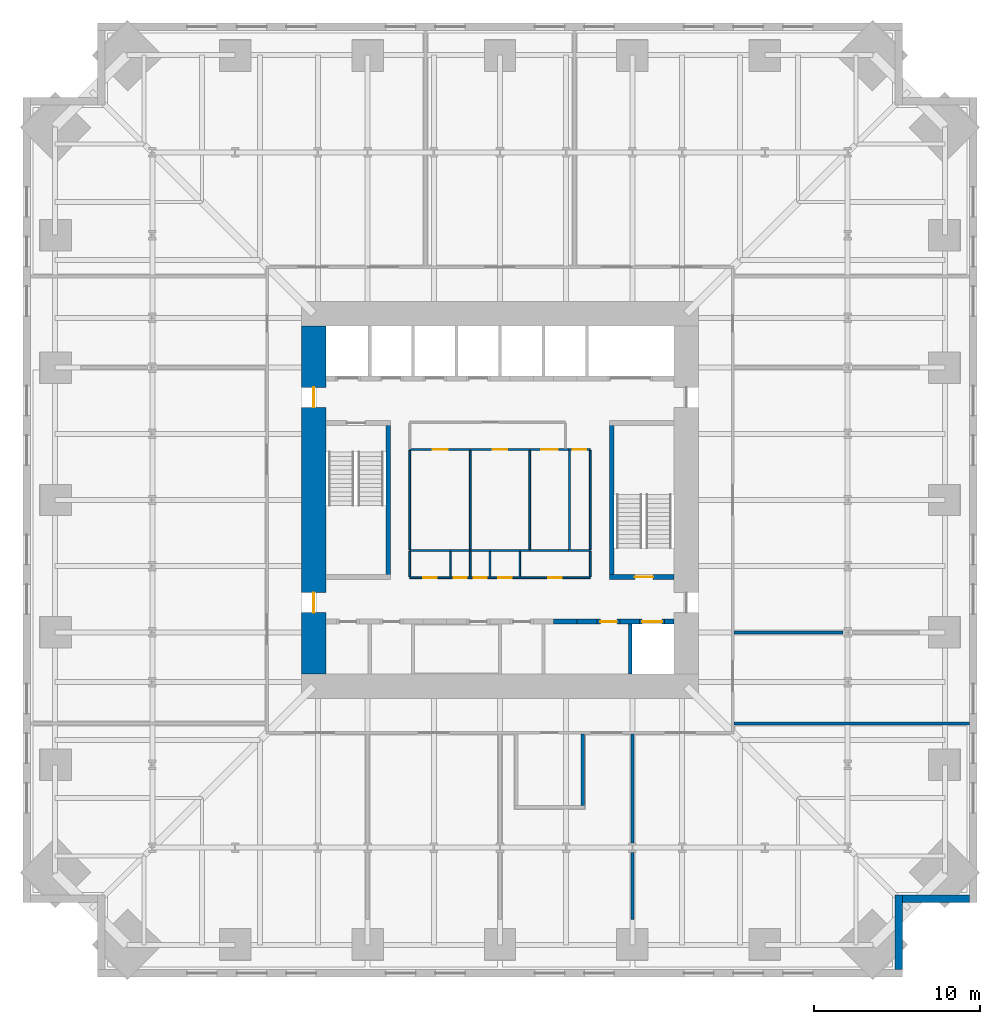
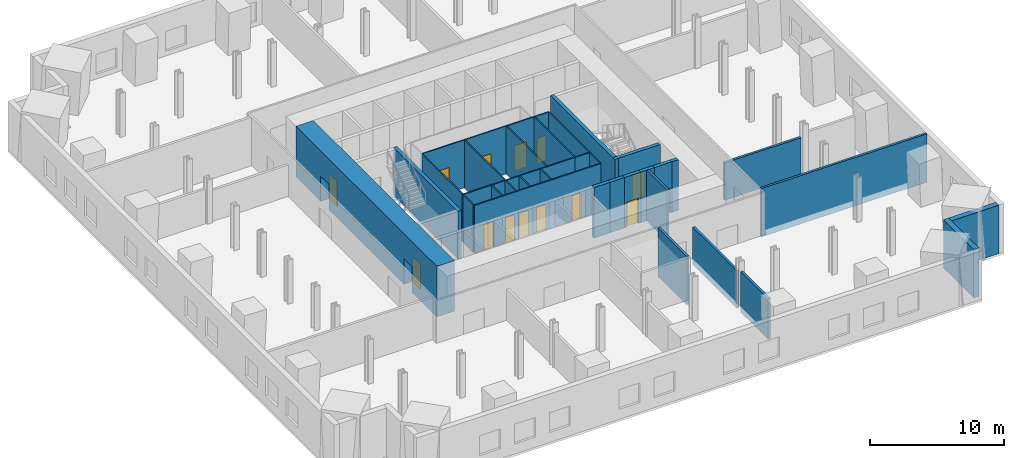
# One storey, part 5 of 9: 34 walls, 14 doors, 14 openings.
"""IFC4 building model written with IfcOpenShell, lengths in metres."""

import ifcopenshell
import ifcopenshell.guid

model = None  # the IFC model being written
_history = None  # IfcOwnerHistory: only IFC2X3 demands one
_inside = {}  # id of a spatial element -> (the spatial element, [elements in it])
_under = {}  # id of a project, library or spatial element -> (it, [spatial elements below it])
_declared = {}  # id of a project -> (the project, [libraries it declares])
_typed = {}  # id of a type object -> (the type object, [elements of that type])
_made_of = {}  # id of a material, layer set ... -> (it, [elements and type objects made of it])


def new_model(schema):
    """Start an empty IFC model of exactly this schema.

    Asked for "IFC4X3", IfcOpenShell would pick the latest addendum, in which some entities
    have other attributes; the version numbers below select the first issue.
    IFC2X3 requires an IfcOwnerHistory on every rooted entity: one is made here for all.
    """
    global model, _history
    if schema == "IFC4X3":
        model = ifcopenshell.file(schema_version=(4, 3, 0, 0))
    else:
        model = ifcopenshell.file(schema=schema)
    _inside.clear()
    _under.clear()
    _declared.clear()
    _typed.clear()
    _made_of.clear()
    _history = None
    if model.schema == "IFC2X3":
        org = make("IfcOrganization", Name="unknown")
        user = make(
            "IfcPersonAndOrganization",
            ThePerson=make("IfcPerson", FamilyName="unknown"),
            TheOrganization=org,
        )
        app = make(
            "IfcApplication",
            ApplicationDeveloper=org,
            Version="unknown",
            ApplicationFullName="unknown",
            ApplicationIdentifier="unknown",
        )
        _history = make(
            "IfcOwnerHistory",
            OwningUser=user,
            OwningApplication=app,
            ChangeAction="ADDED",
            CreationDate=0,
        )
    return model


def make(cls, **values):
    """One entity of the class cls with the attributes given. An attribute that is None is left unset."""
    return model.create_entity(
        cls, **{name: value for name, value in values.items() if value is not None}
    )


def rooted(cls, **values):
    """An entity with a GlobalId (a new one), such as an element, a storey or a relation."""
    return make(cls, GlobalId=ifcopenshell.guid.new(), OwnerHistory=_history, **values)


def si_unit(unit_type, name, prefix=None):
    """IfcSIUnit, for example si_unit("LENGTHUNIT", "METRE", prefix="MILLI")."""
    return make("IfcSIUnit", UnitType=unit_type, Prefix=prefix, Name=name)


def assignment(units):
    """IfcUnitAssignment: the units of a project."""
    return None if units is None else make("IfcUnitAssignment", Units=units)


def point(xyz):
    """IfcCartesianPoint."""
    return None if xyz is None else make("IfcCartesianPoint", Coordinates=xyz)


def direction(xyz):
    """IfcDirection."""
    return None if xyz is None else make("IfcDirection", DirectionRatios=xyz)


def frame(location, z_axis=None, x_axis=None):
    """IfcAxis2Placement3D, a coordinate frame: its origin and axes. An axis left out is left unset."""
    return make(
        "IfcAxis2Placement3D",
        Location=point(location),
        Axis=direction(z_axis),
        RefDirection=direction(x_axis),
    )


def frame_2d(location, x_axis=None):
    """IfcAxis2Placement2D, a coordinate frame in the plane: its origin and x axis."""
    return make(
        "IfcAxis2Placement2D", Location=point(location), RefDirection=direction(x_axis)
    )


def origin():
    """The frame at (0, 0, 0) with its axes left unset."""
    return frame((0.0, 0.0, 0.0))


def place(relative_to, where):
    """IfcLocalPlacement: puts the frame where relative to a parent placement (None: the world)."""
    return make(
        "IfcLocalPlacement", PlacementRelTo=relative_to, RelativePlacement=where
    )


def context(
    kind, dimensions, precision=None, world=None, true_north=None, identifier=None
):
    """IfcGeometricRepresentationContext, for example the 3D "Model" context."""
    return make(
        "IfcGeometricRepresentationContext",
        ContextIdentifier=identifier,
        ContextType=kind,
        CoordinateSpaceDimension=dimensions,
        Precision=precision,
        WorldCoordinateSystem=world,
        TrueNorth=true_north,
    )


def subcontext(parent, identifier, kind, view, scale=None):
    """IfcGeometricRepresentationSubContext, for example "Body" below "Model"."""
    return make(
        "IfcGeometricRepresentationSubContext",
        ContextIdentifier=identifier,
        ContextType=kind,
        ParentContext=parent,
        TargetScale=scale,
        TargetView=view,
    )


def project(units=None, contexts=None):
    """IfcProject with its units and contexts."""
    return rooted(
        "IfcProject",
        Name="project",
        RepresentationContexts=contexts,
        UnitsInContext=assignment(units),
    )


def spatial(cls, under=None, at=None, **own):
    """A site, building, storey or space (cls), placed at a placement, below another one or the project."""
    s = rooted(cls, ObjectPlacement=at, **own)
    if under is not None:
        _under.setdefault(under.id(), (under, []))[1].append(s)
    return s


def profile(cls, at=None, kind="AREA", **sizes):
    """A parametric profile (cls). Its sizes go by their IFC names, for example OverallWidth=200.0."""
    return make(cls, ProfileType=kind, Position=at, **sizes)


def rectangle(**sizes):
    """IfcRectangleProfileDef."""
    return profile("IfcRectangleProfileDef", **sizes)


def extrude(swept, where, along, depth):
    """IfcExtrudedAreaSolid: the profile swept, set in the frame where, extruded along a direction by depth."""
    return make(
        "IfcExtrudedAreaSolid",
        SweptArea=swept,
        Position=where,
        ExtrudedDirection=direction(along),
        Depth=depth,
    )


def shape(context_of_items, identifier, shape_type, items):
    """IfcShapeRepresentation: the items that make up one representation, for example the "Body"."""
    return make(
        "IfcShapeRepresentation",
        ContextOfItems=context_of_items,
        RepresentationIdentifier=identifier,
        RepresentationType=shape_type,
        Items=items,
    )


def material(Name=None, Category=None):
    """IfcMaterial."""
    return make("IfcMaterial", Name=Name, Category=Category)


def layer(
    of_material, thickness, ventilated=None, Name=None, Category=None, Priority=None
):
    """IfcMaterialLayer: one layer of a wall or slab, of a material (None: an air gap)."""
    return make(
        "IfcMaterialLayer",
        Material=of_material,
        LayerThickness=thickness,
        IsVentilated=ventilated,
        Name=Name,
        Category=Category,
        Priority=Priority,
    )


def layer_set(layers, Name=None):
    """IfcMaterialLayerSet."""
    return make("IfcMaterialLayerSet", MaterialLayers=layers, LayerSetName=Name)


def made_of(thing, what):
    """Note that an element or type object is made of a material, layer set ...; save() writes the relation."""
    if what is not None:
        _made_of.setdefault(what.id(), (what, []))[1].append(thing)
    return thing


def type_object(cls, material=None, **own):
    """A type object (cls), such as IfcWallType, which elements share."""
    return made_of(rooted(cls, **own), material)


def element(
    cls,
    number,
    at=None,
    inside=None,
    cuts=None,
    type_object=None,
    material=None,
    context=None,
    identifier="Body",
    shape_type=None,
    held_by="IfcProductDefinitionShape",
    body=None,
    shapes=None,
    **own,
):
    """One element of the class cls, such as IfcWall. Its Tag is "e" and its number.

    at: its placement. inside: the storey or other place that contains it. cuts: it is an
    opening in that element (IfcRelVoidsElement). A single representation is given by context,
    identifier, shape_type and body (its items); several are given by shapes. held_by: the class
    of the entity that holds the representations. save() writes the other relations.
    """
    e = rooted(cls, Tag="e%d" % number, ObjectPlacement=at, **own)
    if body is not None:
        shapes = [shape(context, identifier, shape_type, body)]
    if shapes is not None:
        e.Representation = make(held_by, Representations=shapes)
    if inside is not None:
        _inside.setdefault(inside.id(), (inside, []))[1].append(e)
    if cuts is not None:
        rooted(
            "IfcRelVoidsElement", RelatingBuildingElement=cuts, RelatedOpeningElement=e
        )
    if type_object is not None:
        _typed.setdefault(type_object.id(), (type_object, []))[1].append(e)
    return made_of(e, material)


def fill(opening, filler):
    """IfcRelFillsElement: the door or window that sits in an opening."""
    return rooted(
        "IfcRelFillsElement",
        RelatingOpeningElement=opening,
        RelatedBuildingElement=filler,
    )


def aggregate(whole, parts):
    """IfcRelAggregates: a whole, such as a stair, and the parts it consists of."""
    return rooted("IfcRelAggregates", RelatingObject=whole, RelatedObjects=parts)


def save(model, path):
    """Write the relations noted so far, then the file.

    IfcRelAggregates (storeys below a building ...), IfcRelContainedInSpatialStructure (elements
    in a storey), IfcRelDefinesByType, IfcRelAssociatesMaterial and IfcRelDeclares: one each for
    every whole, place, type object, material and project.
    """
    for whole, parts in _under.values():
        aggregate(whole, parts)
    for where, things in _inside.values():
        rooted(
            "IfcRelContainedInSpatialStructure",
            RelatedElements=things,
            RelatingStructure=where,
        )
    for kind, things in _typed.values():
        rooted("IfcRelDefinesByType", RelatedObjects=things, RelatingType=kind)
    for what, things in _made_of.values():
        rooted("IfcRelAssociatesMaterial", RelatedObjects=things, RelatingMaterial=what)
    for by, libraries in _declared.values():
        rooted("IfcRelDeclares", RelatingContext=by, RelatedDefinitions=libraries)
    model.write(path)


model = new_model("IFC4")

# Units and contexts
model_context = context("Model", 3, precision=1e-05, world=origin(), true_north=direction((0.0, 1.0)))
body_context = subcontext(model_context, "Body", "Model", "MODEL_VIEW")
ifc_project = project(units=[si_unit("LENGTHUNIT", "METRE"), si_unit("AREAUNIT", "SQUARE_METRE"), si_unit("VOLUMEUNIT", "CUBIC_METRE"), si_unit("PLANEANGLEUNIT", "RADIAN"), si_unit("MASSUNIT", "GRAM", prefix="KILO")], contexts=[model_context])

# Site, building, storey
site_placement = place(None, origin())
site = spatial("IfcSite", under=ifc_project, at=site_placement, CompositionType="ELEMENT")
building_placement = place(site_placement, origin())
building = spatial("IfcBuilding", under=site, at=building_placement, Name="Peilmerk Tower", CompositionType="ELEMENT")
storey_placement = place(building_placement, frame((0.0, 0.0, 99.800048828125)))
storey = spatial("IfcBuildingStorey", under=building, at=storey_placement, Name="L19", CompositionType="ELEMENT", Elevation=99.800048828125)

# Walls
ifc_material_1 = material(Name="Precast concrete C45/55, board-marked finish", Category="concrete")
ifc_layer_1 = layer(ifc_material_1, 0.449951171875)
ifc_layer_set_1 = layer_set([ifc_layer_1], Name="Precast concrete C45/55, board-marked finish")
wall_type_1 = type_object("IfcWallType", Name="EW1 450 precast concrete facade wall, board-marked", PredefinedType="SOLIDWALL", material=ifc_layer_set_1)
wall_1_placement = place(storey_placement, frame((24.074951171875, -23.85009765625, 0.0), z_axis=(0.0, 0.0, 1.0), x_axis=(0.0, -1.0, 0.0)))
element("IfcWall", 1, at=wall_1_placement, inside=storey, type_object=wall_type_1, Name="Facade wall SEA L19", PredefinedType="SOLIDWALL", context=body_context, shape_type="SweptSolid", body=[
    extrude(rectangle(XDim=4.5, YDim=0.449951171875, at=frame_2d((2.25, 0.0))), origin(), (0.0, 0.0, 1.0), 4.39990234375),
])
wall_2_placement = place(storey_placement, frame((24.300048828125, -24.074951171875, 0.0), z_axis=(0.0, 0.0, 1.0), x_axis=(1.0, 0.0, 0.0)))
element("IfcWall", 2, at=wall_2_placement, inside=storey, type_object=wall_type_1, Name="Facade wall SEB L19", PredefinedType="SOLIDWALL", context=body_context, shape_type="SweptSolid", body=[
    extrude(rectangle(XDim=4.050048828125, YDim=0.449951171875, at=frame_2d((2.02490234375, 0.0))), origin(), (0.0, 0.0, 1.0), 4.39990234375),
])
ifc_material_2 = material(Name="Calcium silicate block", Category="masonry")
ifc_layer_2 = layer(ifc_material_2, 0.199951171875)
ifc_layer_set_2 = layer_set([ifc_layer_2], Name="Calcium silicate block")
wall_type_2 = type_object("IfcWallType", Name="IW2 200 room separating wall, EI 120", PredefinedType="PARTITIONING", material=ifc_layer_set_2)
wall_3_placement = place(storey_placement, frame((28.35009765625, -13.5, 0.0), z_axis=(0.0, 0.0, 1.0), x_axis=(-1.0, 0.0, 0.0)))
element("IfcWall", 3, at=wall_3_placement, inside=storey, type_object=wall_type_2, Name="Room separating wall SE L19", PredefinedType="PARTITIONING", context=body_context, shape_type="SweptSolid", body=[
    extrude(rectangle(XDim=14.22509765625, YDim=0.199951171875, at=frame_2d((7.112548828125, 0.0))), origin(), (0.0, 0.0, 1.0), 4.39990234375),
])
wall_4_placement = place(storey_placement, frame((8.0, -14.125, 0.0), z_axis=(0.0, 0.0, 1.0), x_axis=(0.0, -1.0, 0.0)))
element("IfcWall", 4, at=wall_4_placement, inside=storey, type_object=wall_type_2, Name="Room separating wall S3 L19", PredefinedType="PARTITIONING", context=body_context, shape_type="SweptSolid", body=[
    extrude(rectangle(XDim=6.590576171875, YDim=0.199951171875, at=frame_2d((3.29541015625, 0.0))), origin(), (0.0, 0.0, 1.0), 3.391845703125),
])
wall_5_placement = place(storey_placement, frame((8.0, -21.284423828125, 0.0), z_axis=(0.0, 0.0, 1.0), x_axis=(0.0, -1.0, 0.0)))
element("IfcWall", 5, at=wall_5_placement, inside=storey, type_object=wall_type_2, Name="Room separating wall S3b L19", PredefinedType="PARTITIONING", context=body_context, shape_type="SweptSolid", body=[
    extrude(rectangle(XDim=4.05908203125, YDim=0.199951171875, at=frame_2d((2.029541015625, 0.0))), origin(), (0.0, 0.0, 1.0), 3.7099609375),
])
wall_6_placement = place(storey_placement, frame((14.125, -8.0, 0.0), z_axis=(0.0, 0.0, 1.0), x_axis=(1.0, 0.0, 0.0)))
element("IfcWall", 6, at=wall_6_placement, inside=storey, type_object=wall_type_2, Name="Room separating wall E1 L19", PredefinedType="PARTITIONING", context=body_context, shape_type="SweptSolid", body=[
    extrude(rectangle(XDim=6.590576171875, YDim=0.199951171875, at=frame_2d((3.29541015625, 0.0))), origin(), (0.0, 0.0, 1.0), 3.391845703125),
])
wall_7_placement = place(storey_placement, frame((5.0, -14.125, 0.0), z_axis=(0.0, 0.0, 1.0), x_axis=(0.0, -1.0, 0.0)))
element("IfcWall", 7, at=wall_7_placement, inside=storey, type_object=wall_type_2, Name="Room separating wall Operations office L19", PredefinedType="PARTITIONING", context=body_context, shape_type="SweptSolid", body=[
    extrude(rectangle(XDim=4.324951171875, YDim=0.199951171875, at=frame_2d((2.16259765625, 0.0))), origin(), (0.0, 0.0, 1.0), 4.39990234375),
])
ifc_material_3 = material(Name="Concrete C35/45", Category="concrete")
ifc_layer_3 = layer(ifc_material_3, 0.300048828125)
ifc_layer_set_3 = layer_set([ifc_layer_3], Name="Concrete C35/45")
wall_type_3 = type_object("IfcWallType", Name="IW3 300 concrete stair enclosure wall, EI 120", PredefinedType="SOLIDWALL", material=ifc_layer_set_3)
for number, where, z_axis, x_axis, name in (
    (8, (-6.75, -4.800048828125, 0.0), (0.0, 0.0, 1.0), (0.0, 1.0, 0.0), "Stair 1 enclosure L19"),
    (9, (6.75, -4.800048828125, 0.0), (0.0, 0.0, 1.0), (0.0, 1.0, 0.0), "Stair 2 enclosure L19"),
):
    element("IfcWall", number, at=place(storey_placement, frame(where, z_axis=z_axis, x_axis=x_axis)), inside=storey, type_object=wall_type_3, Name=name, PredefinedType="SOLIDWALL", context=body_context, shape_type="SweptSolid", body=[
        extrude(rectangle(XDim=9.60009765625, YDim=0.300048828125, at=frame_2d((4.800048828125, 0.0))), origin(), (0.0, 0.0, 1.0), 4.349853515625),
    ])

# Wall, opening, door
wall_8_placement = place(storey_placement, frame((10.5, -4.64990234375, 0.0), z_axis=(0.0, 0.0, 1.0), x_axis=(-1.0, 0.0, 0.0)))
wall_8 = element("IfcWall", 10, at=wall_8_placement, inside=storey, type_object=wall_type_3, Name="Stair 2 enclosure L19", PredefinedType="SOLIDWALL", context=body_context, shape_type="SweptSolid", body=[
    extrude(rectangle(XDim=3.89990234375, YDim=0.300048828125, at=frame_2d((1.949951171875, 0.0))), origin(), (0.0, 0.0, 1.0), 4.349853515625),
])
opening_1_placement = place(wall_8_placement, frame((1.25, 0.0, 0.0)))
opening_1 = element("IfcOpeningElement", 11, at=opening_1_placement, cuts=wall_8, Name="Opening D4", PredefinedType="OPENING", context=body_context, shape_type="SweptSolid", body=[
    extrude(rectangle(XDim=1.10009765625, YDim=2.300048828125, at=frame_2d((0.550048828125, 1.14990234375))), frame((0.0, 0.159912109375, 0.0), z_axis=(0.0, -1.0, 0.0), x_axis=(1.0, 0.0, 0.0)), (0.0, 0.0, 1.0), 0.320068359375),
])
ifc_material_4 = material(Name="Steel door in steel frame", Category="steel")
door_type_1 = type_object("IfcDoorType", Name="D4 1100x2300 stair door, EI2 60", OperationType="SINGLE_SWING_RIGHT", PredefinedType="DOOR", material=ifc_material_4)
door_1_placement = place(opening_1_placement, frame((1.10009765625, 0.0, 0.0), z_axis=(0.0, 0.0, 1.0), x_axis=(-1.0, 0.0, 0.0)))
door_1 = element("IfcDoor", 12, at=door_1_placement, inside=storey, type_object=door_type_1, Name="Stair 2 door L19", OperationType="SINGLE_SWING_RIGHT", OverallHeight=2.300048828125, OverallWidth=1.10009765625, PredefinedType="DOOR", context=body_context, shape_type="SweptSolid", body=[
    extrude(rectangle(XDim=1.10009765625, YDim=2.300048828125, at=frame_2d((0.550048828125, 1.14990234375))), frame((0.0, 0.02490234375, 0.0), z_axis=(0.0, -1.0, 0.0), x_axis=(1.0, 0.0, 0.0)), (0.0, 0.0, 1.0), 0.050048828125),
])
fill(opening_1, door_1)

# Wall, openings, doors
ifc_material_5 = material(Name="Plasterboard on steel studs", Category="steel")
ifc_layer_4 = layer(ifc_material_5, 0.10009765625)
ifc_layer_set_4 = layer_set([ifc_layer_4], Name="Plasterboard on steel studs")
wall_type_4 = type_object("IfcWallType", Name="IW4 100 WC partition", PredefinedType="PARTITIONING", material=ifc_layer_set_4)
wall_9_placement = place(storey_placement, frame((-5.449951171875, 3.050048828125, 0.0), z_axis=(0.0, 0.0, 1.0), x_axis=(1.0, 0.0, 0.0)))
wall_9 = element("IfcWall", 13, at=wall_9_placement, inside=storey, type_object=wall_type_4, Name="WC wall L19", PredefinedType="PARTITIONING", context=body_context, shape_type="SweptSolid", body=[
    extrude(rectangle(XDim=9.599853515625, YDim=0.10009765625, at=frame_2d((4.7998046875, 0.0))), origin(), (0.0, 0.0, 1.0), 4.349853515625),
])
opening_2_placement = place(wall_9_placement, frame((1.39990234375, 0.0, 0.0)))
opening_2 = element("IfcOpeningElement", 14, at=opening_2_placement, cuts=wall_9, Name="Opening D5", PredefinedType="OPENING", context=body_context, shape_type="SweptSolid", body=[
    extrude(rectangle(XDim=0.89990234375, YDim=2.300048828125, at=frame_2d((0.449951171875, 1.14990234375))), frame((0.0, 0.06005859375, 0.0), z_axis=(0.0, -1.0, 0.0), x_axis=(1.0, 0.0, 0.0)), (0.0, 0.0, 1.0), 0.1201171875),
])
opening_3_placement = place(wall_9_placement, frame((5.0, 0.0, 0.0)))
opening_3 = element("IfcOpeningElement", 15, at=opening_3_placement, cuts=wall_9, Name="Opening D5", PredefinedType="OPENING", context=body_context, shape_type="SweptSolid", body=[
    extrude(rectangle(XDim=0.89990234375, YDim=2.300048828125, at=frame_2d((0.449951171875, 1.14990234375))), frame((0.0, 0.06005859375, 0.0), z_axis=(0.0, -1.0, 0.0), x_axis=(1.0, 0.0, 0.0)), (0.0, 0.0, 1.0), 0.1201171875),
])
opening_4_placement = place(wall_9_placement, frame((7.949951171875, 0.0, 0.0)))
opening_4 = element("IfcOpeningElement", 16, at=opening_4_placement, cuts=wall_9, Name="Opening D6", PredefinedType="OPENING", context=body_context, shape_type="SweptSolid", body=[
    extrude(rectangle(XDim=1.0, YDim=2.300048828125, at=frame_2d((0.5, 1.14990234375))), frame((0.0, 0.06005859375, 0.0), z_axis=(0.0, -1.0, 0.0), x_axis=(1.0, 0.0, 0.0)), (0.0, 0.0, 1.0), 0.1201171875),
])
ifc_material_6 = material(Name="Timber door in steel frame", Category="steel")
door_type_2 = type_object("IfcDoorType", Name="D5 900x2300 WC door", OperationType="SINGLE_SWING_LEFT", PredefinedType="DOOR", material=ifc_material_6)
door_2_placement = place(opening_2_placement, frame((0.89990234375, 0.0, 0.0), z_axis=(0.0, 0.0, 1.0), x_axis=(-1.0, 0.0, 0.0)))
door_2 = element("IfcDoor", 17, at=door_2_placement, inside=storey, type_object=door_type_2, Name="Male toilets door L19", OperationType="SINGLE_SWING_LEFT", OverallHeight=2.300048828125, OverallWidth=0.89990234375, PredefinedType="DOOR", context=body_context, shape_type="SweptSolid", body=[
    extrude(rectangle(XDim=0.89990234375, YDim=2.300048828125, at=frame_2d((0.449951171875, 1.14990234375))), frame((0.0, 0.02490234375, 0.0), z_axis=(0.0, -1.0, 0.0), x_axis=(1.0, 0.0, 0.0)), (0.0, 0.0, 1.0), 0.050048828125),
])
fill(opening_2, door_2)
door_3_placement = place(opening_3_placement, frame((0.89990234375, 0.0, 0.0), z_axis=(0.0, 0.0, 1.0), x_axis=(-1.0, 0.0, 0.0)))
door_3 = element("IfcDoor", 18, at=door_3_placement, inside=storey, type_object=door_type_2, Name="Female toilets door L19", OperationType="SINGLE_SWING_LEFT", OverallHeight=2.300048828125, OverallWidth=0.89990234375, PredefinedType="DOOR", context=body_context, shape_type="SweptSolid", body=[
    extrude(rectangle(XDim=0.89990234375, YDim=2.300048828125, at=frame_2d((0.449951171875, 1.14990234375))), frame((0.0, 0.02490234375, 0.0), z_axis=(0.0, -1.0, 0.0), x_axis=(1.0, 0.0, 0.0)), (0.0, 0.0, 1.0), 0.050048828125),
])
fill(opening_3, door_3)
door_type_3 = type_object("IfcDoorType", Name="D6 1000x2300 accessible WC door", OperationType="SLIDING_TO_LEFT", PredefinedType="DOOR", material=ifc_material_6)
door_4_placement = place(opening_4_placement, frame((1.0, 0.0, 0.0), z_axis=(0.0, 0.0, 1.0), x_axis=(-1.0, 0.0, 0.0)))
door_4 = element("IfcDoor", 19, at=door_4_placement, inside=storey, type_object=door_type_3, Name="Accessible WC door L19", OperationType="SLIDING_TO_LEFT", OverallHeight=2.300048828125, OverallWidth=1.0, PredefinedType="DOOR", context=body_context, shape_type="SweptSolid", body=[
    extrude(rectangle(XDim=1.0, YDim=2.300048828125, at=frame_2d((0.5, 1.14990234375))), frame((0.0, 0.02490234375, 0.0), z_axis=(0.0, -1.0, 0.0), x_axis=(1.0, 0.0, 0.0)), (0.0, 0.0, 1.0), 0.050048828125),
])
fill(opening_4, door_4)

# Walls
wall_10_placement = place(storey_placement, frame((4.14990234375, -3.050048828125, 0.0), z_axis=(0.0, 0.0, 1.0), x_axis=(-1.0, 0.0, 0.0)))
element("IfcWall", 20, at=wall_10_placement, inside=storey, type_object=wall_type_4, Name="WC wall L19", PredefinedType="PARTITIONING", context=body_context, shape_type="SweptSolid", body=[
    extrude(rectangle(XDim=9.599853515625, YDim=0.10009765625, at=frame_2d((4.7998046875, 0.0))), origin(), (0.0, 0.0, 1.0), 4.349853515625),
])
for number, where, z_axis, x_axis, name in (
    (21, (-5.449951171875, -3.0, 0.0), (0.0, 0.0, 1.0), (0.0, 1.0, 0.0), "WC wall L19"),
    (22, (-1.800048828125, -3.0, 0.0), (0.0, 0.0, 1.0), (0.0, 1.0, 0.0), "WC wall L19"),
    (23, (1.800048828125, -3.0, 0.0), (0.0, 0.0, 1.0), (0.0, 1.0, 0.0), "WC wall L19"),
):
    element("IfcWall", number, at=place(storey_placement, frame(where, z_axis=z_axis, x_axis=x_axis)), inside=storey, type_object=wall_type_4, Name=name, PredefinedType="PARTITIONING", context=body_context, shape_type="SweptSolid", body=[
        extrude(rectangle(XDim=6.0, YDim=0.10009765625, at=frame_2d((3.0, 0.0))), origin(), (0.0, 0.0, 1.0), 4.349853515625),
    ])

# Wall, opening, door
ifc_material_7 = material(Name="Calcium silicate board on steel studs", Category="steel")
ifc_layer_5 = layer(ifc_material_7, 0.10009765625)
ifc_layer_set_5 = layer_set([ifc_layer_5], Name="Calcium silicate board on steel studs")
wall_type_5 = type_object("IfcWallType", Name="IW5 100 riser enclosure wall, EI 60", PredefinedType="PARTITIONING", material=ifc_layer_set_5)
wall_11_placement = place(storey_placement, frame((4.14990234375, 3.050048828125, 0.0), z_axis=(0.0, 0.0, 1.0), x_axis=(1.0, 0.0, 0.0)))
wall_11 = element("IfcWall", 24, at=wall_11_placement, inside=storey, type_object=wall_type_5, Name="Riser wall L19", PredefinedType="PARTITIONING", context=body_context, shape_type="SweptSolid", body=[
    extrude(rectangle(XDim=1.300048828125, YDim=0.10009765625, at=frame_2d((0.64990234375, 0.0))), origin(), (0.0, 0.0, 1.0), 4.349853515625),
])
opening_5_placement = place(wall_11_placement, frame((0.25, 0.0, 0.0)))
opening_5 = element("IfcOpeningElement", 25, at=opening_5_placement, cuts=wall_11, Name="Opening D7", PredefinedType="OPENING", context=body_context, shape_type="SweptSolid", body=[
    extrude(rectangle(XDim=0.800048828125, YDim=2.300048828125, at=frame_2d((0.39990234375, 1.14990234375))), frame((0.0, 0.06005859375, 0.0), z_axis=(0.0, -1.0, 0.0), x_axis=(1.0, 0.0, 0.0)), (0.0, 0.0, 1.0), 0.1201171875),
])
door_type_4 = type_object("IfcDoorType", Name="D7 800x2300 riser access door, EI2 60", OperationType="SINGLE_SWING_RIGHT", PredefinedType="DOOR", material=ifc_material_4)
door_5_placement = place(opening_5_placement, frame((0.800048828125, 0.0, 0.0), z_axis=(0.0, 0.0, 1.0), x_axis=(-1.0, 0.0, 0.0)))
door_5 = element("IfcDoor", 26, at=door_5_placement, inside=storey, type_object=door_type_4, Name="Plumbing riser door L19", OperationType="SINGLE_SWING_RIGHT", OverallHeight=2.300048828125, OverallWidth=0.800048828125, PredefinedType="DOOR", context=body_context, shape_type="SweptSolid", body=[
    extrude(rectangle(XDim=0.800048828125, YDim=2.300048828125, at=frame_2d((0.39990234375, 1.14990234375))), frame((0.0, 0.02490234375, 0.0), z_axis=(0.0, -1.0, 0.0), x_axis=(1.0, 0.0, 0.0)), (0.0, 0.0, 1.0), 0.050048828125),
])
fill(opening_5, door_5)

# Walls
wall_12_placement = place(storey_placement, frame((5.449951171875, -3.050048828125, 0.0), z_axis=(0.0, 0.0, 1.0), x_axis=(-1.0, 0.0, 0.0)))
element("IfcWall", 27, at=wall_12_placement, inside=storey, type_object=wall_type_5, Name="Riser wall L19", PredefinedType="PARTITIONING", context=body_context, shape_type="SweptSolid", body=[
    extrude(rectangle(XDim=1.300048828125, YDim=0.10009765625, at=frame_2d((0.64990234375, 0.0))), origin(), (0.0, 0.0, 1.0), 4.349853515625),
])
for number, where, z_axis, x_axis, name in (
    (28, (5.449951171875, 3.0, 0.0), (0.0, 0.0, 1.0), (0.0, -1.0, 0.0), "Riser wall L19"),
    (29, (4.199951171875, -3.0, 0.0), (0.0, 0.0, 1.0), (0.0, 1.0, 0.0), "Riser wall L19"),
):
    element("IfcWall", number, at=place(storey_placement, frame(where, z_axis=z_axis, x_axis=x_axis)), inside=storey, type_object=wall_type_5, Name=name, PredefinedType="PARTITIONING", context=body_context, shape_type="SweptSolid", body=[
        extrude(rectangle(XDim=6.0, YDim=0.10009765625, at=frame_2d((3.0, 0.0))), origin(), (0.0, 0.0, 1.0), 4.349853515625),
    ])

# Wall, openings, doors
wall_13_placement = place(storey_placement, frame((5.449951171875, -4.699951171875, 0.0), z_axis=(0.0, 0.0, 1.0), x_axis=(-1.0, 0.0, 0.0)))
wall_13 = element("IfcWall", 30, at=wall_13_placement, inside=storey, type_object=wall_type_5, Name="Riser wall L19", PredefinedType="PARTITIONING", context=body_context, shape_type="SweptSolid", body=[
    extrude(rectangle(XDim=10.89990234375, YDim=0.10009765625, at=frame_2d((5.449951171875, 0.0))), origin(), (0.0, 0.0, 1.0), 4.349853515625),
])
opening_6_placement = place(wall_13_placement, frame((9.27490234375, 0.0, 0.0)))
opening_6 = element("IfcOpeningElement", 31, at=opening_6_placement, cuts=wall_13, Name="Opening D7", PredefinedType="OPENING", context=body_context, shape_type="SweptSolid", body=[
    extrude(rectangle(XDim=0.800048828125, YDim=2.300048828125, at=frame_2d((0.39990234375, 1.14990234375))), frame((0.0, 0.06005859375, 0.0), z_axis=(0.0, -1.0, 0.0), x_axis=(1.0, 0.0, 0.0)), (0.0, 0.0, 1.0), 0.1201171875),
])
opening_7_placement = place(wall_13_placement, frame((7.449951171875, 0.0, 0.0)))
opening_7 = element("IfcOpeningElement", 32, at=opening_7_placement, cuts=wall_13, Name="Opening D7", PredefinedType="OPENING", context=body_context, shape_type="SweptSolid", body=[
    extrude(rectangle(XDim=0.800048828125, YDim=2.300048828125, at=frame_2d((0.39990234375, 1.14990234375))), frame((0.0, 0.06005859375, 0.0), z_axis=(0.0, -1.0, 0.0), x_axis=(1.0, 0.0, 0.0)), (0.0, 0.0, 1.0), 0.1201171875),
])
opening_8_placement = place(wall_13_placement, frame((6.25, 0.0, 0.0)))
opening_8 = element("IfcOpeningElement", 33, at=opening_8_placement, cuts=wall_13, Name="Opening D7", PredefinedType="OPENING", context=body_context, shape_type="SweptSolid", body=[
    extrude(rectangle(XDim=0.800048828125, YDim=2.300048828125, at=frame_2d((0.39990234375, 1.14990234375))), frame((0.0, 0.06005859375, 0.0), z_axis=(0.0, -1.0, 0.0), x_axis=(1.0, 0.0, 0.0)), (0.0, 0.0, 1.0), 0.1201171875),
])
opening_9_placement = place(wall_13_placement, frame((4.75, 0.0, 0.0)))
opening_9 = element("IfcOpeningElement", 34, at=opening_9_placement, cuts=wall_13, Name="Opening D7", PredefinedType="OPENING", context=body_context, shape_type="SweptSolid", body=[
    extrude(rectangle(XDim=0.800048828125, YDim=2.300048828125, at=frame_2d((0.39990234375, 1.14990234375))), frame((0.0, 0.06005859375, 0.0), z_axis=(0.0, -1.0, 0.0), x_axis=(1.0, 0.0, 0.0)), (0.0, 0.0, 1.0), 0.1201171875),
])
opening_10_placement = place(wall_13_placement, frame((1.72509765625, 0.0, 0.0)))
opening_10 = element("IfcOpeningElement", 35, at=opening_10_placement, cuts=wall_13, Name="Opening D7", PredefinedType="OPENING", context=body_context, shape_type="SweptSolid", body=[
    extrude(rectangle(XDim=0.800048828125, YDim=2.300048828125, at=frame_2d((0.39990234375, 1.14990234375))), frame((0.0, 0.06005859375, 0.0), z_axis=(0.0, -1.0, 0.0), x_axis=(1.0, 0.0, 0.0)), (0.0, 0.0, 1.0), 0.1201171875),
])
door_6_placement = place(opening_6_placement, frame((0.800048828125, 0.0, 0.0), z_axis=(0.0, 0.0, 1.0), x_axis=(-1.0, 0.0, 0.0)))
door_6 = element("IfcDoor", 36, at=door_6_placement, inside=storey, type_object=door_type_4, Name="Electrical room door L19", OperationType="SINGLE_SWING_RIGHT", OverallHeight=2.300048828125, OverallWidth=0.800048828125, PredefinedType="DOOR", context=body_context, shape_type="SweptSolid", body=[
    extrude(rectangle(XDim=0.800048828125, YDim=2.300048828125, at=frame_2d((0.39990234375, 1.14990234375))), frame((0.0, 0.02490234375, 0.0), z_axis=(0.0, -1.0, 0.0), x_axis=(1.0, 0.0, 0.0)), (0.0, 0.0, 1.0), 0.050048828125),
])
fill(opening_6, door_6)
door_7_placement = place(opening_7_placement, frame((0.800048828125, 0.0, 0.0), z_axis=(0.0, 0.0, 1.0), x_axis=(-1.0, 0.0, 0.0)))
door_7 = element("IfcDoor", 37, at=door_7_placement, inside=storey, type_object=door_type_4, Name="Electrical riser door L19", OperationType="SINGLE_SWING_RIGHT", OverallHeight=2.300048828125, OverallWidth=0.800048828125, PredefinedType="DOOR", context=body_context, shape_type="SweptSolid", body=[
    extrude(rectangle(XDim=0.800048828125, YDim=2.300048828125, at=frame_2d((0.39990234375, 1.14990234375))), frame((0.0, 0.02490234375, 0.0), z_axis=(0.0, -1.0, 0.0), x_axis=(1.0, 0.0, 0.0)), (0.0, 0.0, 1.0), 0.050048828125),
])
fill(opening_7, door_7)
door_8_placement = place(opening_8_placement, frame((0.800048828125, 0.0, 0.0), z_axis=(0.0, 0.0, 1.0), x_axis=(-1.0, 0.0, 0.0)))
door_8 = element("IfcDoor", 38, at=door_8_placement, inside=storey, type_object=door_type_4, Name="Data riser door L19", OperationType="SINGLE_SWING_RIGHT", OverallHeight=2.300048828125, OverallWidth=0.800048828125, PredefinedType="DOOR", context=body_context, shape_type="SweptSolid", body=[
    extrude(rectangle(XDim=0.800048828125, YDim=2.300048828125, at=frame_2d((0.39990234375, 1.14990234375))), frame((0.0, 0.02490234375, 0.0), z_axis=(0.0, -1.0, 0.0), x_axis=(1.0, 0.0, 0.0)), (0.0, 0.0, 1.0), 0.050048828125),
])
fill(opening_8, door_8)
door_9_placement = place(opening_9_placement, frame((0.800048828125, 0.0, 0.0), z_axis=(0.0, 0.0, 1.0), x_axis=(-1.0, 0.0, 0.0)))
door_9 = element("IfcDoor", 39, at=door_9_placement, inside=storey, type_object=door_type_4, Name="Cleaner's cupboard door L19", OperationType="SINGLE_SWING_RIGHT", OverallHeight=2.300048828125, OverallWidth=0.800048828125, PredefinedType="DOOR", context=body_context, shape_type="SweptSolid", body=[
    extrude(rectangle(XDim=0.800048828125, YDim=2.300048828125, at=frame_2d((0.39990234375, 1.14990234375))), frame((0.0, 0.02490234375, 0.0), z_axis=(0.0, -1.0, 0.0), x_axis=(1.0, 0.0, 0.0)), (0.0, 0.0, 1.0), 0.050048828125),
])
fill(opening_9, door_9)
door_10_placement = place(opening_10_placement, frame((0.800048828125, 0.0, 0.0), z_axis=(0.0, 0.0, 1.0), x_axis=(-1.0, 0.0, 0.0)))
door_10 = element("IfcDoor", 40, at=door_10_placement, inside=storey, type_object=door_type_4, Name="Comms room door L19", OperationType="SINGLE_SWING_RIGHT", OverallHeight=2.300048828125, OverallWidth=0.800048828125, PredefinedType="DOOR", context=body_context, shape_type="SweptSolid", body=[
    extrude(rectangle(XDim=0.800048828125, YDim=2.300048828125, at=frame_2d((0.39990234375, 1.14990234375))), frame((0.0, 0.02490234375, 0.0), z_axis=(0.0, -1.0, 0.0), x_axis=(1.0, 0.0, 0.0)), (0.0, 0.0, 1.0), 0.050048828125),
])
fill(opening_10, door_10)

# Walls
for number, where, z_axis, x_axis, name in (
    (41, (-5.449951171875, -3.10009765625, 0.0), (0.0, 0.0, 1.0), (0.0, -1.0, 0.0), "Riser wall L19"),
    (42, (5.449951171875, -3.10009765625, 0.0), (0.0, 0.0, 1.0), (0.0, -1.0, 0.0), "Riser wall L19"),
    (43, (-3.0, -3.10009765625, 0.0), (0.0, 0.0, 1.0), (0.0, -1.0, 0.0), "Riser wall L19"),
    (44, (-1.800048828125, -3.10009765625, 0.0), (0.0, 0.0, 1.0), (0.0, -1.0, 0.0), "Riser wall L19"),
    (45, (-0.60009765625, -3.10009765625, 0.0), (0.0, 0.0, 1.0), (0.0, -1.0, 0.0), "Riser wall L19"),
    (46, (1.199951171875, -3.10009765625, 0.0), (0.0, 0.0, 1.0), (0.0, -1.0, 0.0), "Riser wall L19"),
):
    element("IfcWall", number, at=place(storey_placement, frame(where, z_axis=z_axis, x_axis=x_axis)), inside=storey, type_object=wall_type_5, Name=name, PredefinedType="PARTITIONING", context=body_context, shape_type="SweptSolid", body=[
        extrude(rectangle(XDim=1.5498046875, YDim=0.10009765625, at=frame_2d((0.77490234375, 0.0))), origin(), (0.0, 0.0, 1.0), 4.349853515625),
    ])
ifc_layer_6 = layer(ifc_material_2, 0.199951171875)
ifc_layer_set_6 = layer_set([ifc_layer_6], Name="Calcium silicate block")
wall_type_6 = type_object("IfcWallType", Name="SH1 200 shaft dividing wall, EI 120", PredefinedType="PARTITIONING", material=ifc_layer_set_6)
wall_14_placement = place(storey_placement, frame((7.875, -10.5, 0.0), z_axis=(0.0, 0.0, 1.0), x_axis=(0.0, 1.0, 0.0)))
element("IfcWall", 47, at=wall_14_placement, inside=storey, type_object=wall_type_6, Name="Shaft wall S B1 L19", PredefinedType="PARTITIONING", context=body_context, shape_type="SweptSolid", body=[
    extrude(rectangle(XDim=3.0, YDim=0.199951171875, at=frame_2d((1.5, 0.0))), origin(), (0.0, 0.0, 1.0), 4.599853515625),
])
ifc_layer_7 = layer(ifc_material_2, 0.300048828125)
ifc_layer_set_7 = layer_set([ifc_layer_7], Name="Calcium silicate block")
wall_type_7 = type_object("IfcWallType", Name="SH2 300 lift landing door panel, EI 120", PredefinedType="PARTITIONING", material=ifc_layer_set_7)
wall_15_placement = place(storey_placement, frame((3.237548828125, -7.35009765625, 0.0), z_axis=(0.0, 0.0, 1.0), x_axis=(1.0, 0.0, 0.0)))
element("IfcWall", 48, at=wall_15_placement, inside=storey, type_object=wall_type_7, Name="Lift door panel S B2 L19", PredefinedType="PARTITIONING", context=body_context, shape_type="SweptSolid", body=[
    extrude(rectangle(XDim=1.39990234375, YDim=0.300048828125, at=frame_2d((0.699951171875, 0.0))), origin(), (0.0, 0.0, 1.0), 4.599853515625),
])

# Wall, opening, door
wall_16_placement = place(storey_placement, frame((5.862548828125, -7.35009765625, 0.0), z_axis=(0.0, 0.0, 1.0), x_axis=(1.0, 0.0, 0.0)))
wall_16 = element("IfcWall", 49, at=wall_16_placement, inside=storey, type_object=wall_type_7, Name="Lift door panel S B1 L19", PredefinedType="PARTITIONING", context=body_context, shape_type="SweptSolid", body=[
    extrude(rectangle(XDim=1.39990234375, YDim=0.300048828125, at=frame_2d((0.699951171875, 0.0))), origin(), (0.0, 0.0, 1.0), 4.599853515625),
])
opening_11_placement = place(wall_16_placement, frame((0.199951171875, 0.0, 0.0)))
opening_11 = element("IfcOpeningElement", 50, at=opening_11_placement, cuts=wall_16, Name="Opening D10", PredefinedType="OPENING", context=body_context, shape_type="SweptSolid", body=[
    extrude(rectangle(XDim=1.0, YDim=2.300048828125, at=frame_2d((0.5, 1.14990234375))), frame((0.0, 0.159912109375, 0.0), z_axis=(0.0, -1.0, 0.0), x_axis=(1.0, 0.0, 0.0)), (0.0, 0.0, 1.0), 0.320068359375),
])
door_type_5 = type_object("IfcDoorType", Name="D10 1000x2300 core room door, EI2 60", OperationType="SINGLE_SWING_RIGHT", PredefinedType="DOOR", material=ifc_material_4)
door_11_placement = place(opening_11_placement, frame((1.0, 0.0, 0.0), z_axis=(0.0, 0.0, 1.0), x_axis=(-1.0, 0.0, 0.0)))
door_11 = element("IfcDoor", 51, at=door_11_placement, inside=storey, type_object=door_type_5, Name="Door Vending room L19", OperationType="SINGLE_SWING_RIGHT", OverallHeight=2.300048828125, OverallWidth=1.0, PredefinedType="DOOR", context=body_context, shape_type="SweptSolid", body=[
    extrude(rectangle(XDim=1.0, YDim=2.300048828125, at=frame_2d((0.5, 1.14990234375))), frame((0.0, 0.02490234375, 0.0), z_axis=(0.0, -1.0, 0.0), x_axis=(1.0, 0.0, 0.0)), (0.0, 0.0, 1.0), 0.050048828125),
])
fill(opening_11, door_11)

wall_17_placement = place(storey_placement, frame((8.4375, -7.35009765625, 0.0), z_axis=(0.0, 0.0, 1.0), x_axis=(1.0, 0.0, 0.0)))
wall_17 = element("IfcWall", 52, at=wall_17_placement, inside=storey, type_object=wall_type_7, Name="Lift door panel S FL2 L19", PredefinedType="PARTITIONING", context=body_context, shape_type="SweptSolid", body=[
    extrude(rectangle(XDim=1.5, YDim=0.300048828125, at=frame_2d((0.75, 0.0))), origin(), (0.0, 0.0, 1.0), 4.599853515625),
])
opening_12_placement = place(wall_17_placement, frame((0.14990234375, 0.0, 0.0)))
opening_12 = element("IfcOpeningElement", 53, at=opening_12_placement, cuts=wall_17, Name="Opening LD2", PredefinedType="OPENING", context=body_context, shape_type="SweptSolid", body=[
    extrude(rectangle(XDim=1.199951171875, YDim=2.300048828125, at=frame_2d((0.60009765625, 1.14990234375))), frame((0.0, 0.159912109375, 0.0), z_axis=(0.0, -1.0, 0.0), x_axis=(1.0, 0.0, 0.0)), (0.0, 0.0, 1.0), 0.320068359375),
])
ifc_material_8 = material(Name="Stainless steel landing door", Category="steel")
door_type_6 = type_object("IfcDoorType", Name="LD2 1200x2300 lift landing door, sliding, EI2 60", OperationType="SLIDING_TO_LEFT", PredefinedType="DOOR", material=ifc_material_8)
door_12_placement = place(opening_12_placement, origin())
door_12 = element("IfcDoor", 54, at=door_12_placement, inside=storey, type_object=door_type_6, Name="Lift landing door FL2 L19", OperationType="SLIDING_TO_LEFT", OverallHeight=2.300048828125, OverallWidth=1.199951171875, PredefinedType="DOOR", context=body_context, shape_type="SweptSolid", body=[
    extrude(rectangle(XDim=1.199951171875, YDim=2.300048828125, at=frame_2d((0.60009765625, 1.14990234375))), frame((0.0, 0.02490234375, 0.0), z_axis=(0.0, -1.0, 0.0), x_axis=(1.0, 0.0, 0.0)), (0.0, 0.0, 1.0), 0.050048828125),
])
fill(opening_12, door_12)

# Wall, openings, doors
ifc_material_9 = material(Name="Concrete C55/67", Category="concrete")
ifc_layer_8 = layer(ifc_material_9, 1.5)
ifc_layer_set_8 = layer_set([ifc_layer_8], Name="Concrete C55/67")
wall_type_8 = type_object("IfcWallType", Name="SW1 1500 core wall", PredefinedType="SHEAR", material=ifc_layer_set_8)
wall_18_placement = place(storey_placement, frame((-11.25, -10.5, 0.0), z_axis=(0.0, 0.0, 1.0), x_axis=(0.0, 1.0, 0.0)))
wall_18 = element("IfcWall", 55, at=wall_18_placement, inside=storey, type_object=wall_type_8, Name="Core wall W L19", PredefinedType="SHEAR", context=body_context, shape_type="SweptSolid", body=[
    extrude(rectangle(XDim=21.0, YDim=1.5, at=frame_2d((10.5, 0.0))), origin(), (0.0, 0.0, 1.0), 4.599853515625),
])
opening_13_placement = place(wall_18_placement, frame((16.10009765625, 0.0, 0.0)))
opening_13 = element("IfcOpeningElement", 56, at=opening_13_placement, cuts=wall_18, Name="Opening D3", PredefinedType="OPENING", context=body_context, shape_type="SweptSolid", body=[
    extrude(rectangle(XDim=1.199951171875, YDim=2.300048828125, at=frame_2d((0.60009765625, 1.14990234375))), frame((0.0, 0.760009765625, 0.0), z_axis=(0.0, -1.0, 0.0), x_axis=(1.0, 0.0, 0.0)), (0.0, 0.0, 1.0), 1.52001953125),
])
opening_14_placement = place(wall_18_placement, frame((3.699951171875, 0.0, 0.0)))
opening_14 = element("IfcOpeningElement", 57, at=opening_14_placement, cuts=wall_18, Name="Opening D3", PredefinedType="OPENING", context=body_context, shape_type="SweptSolid", body=[
    extrude(rectangle(XDim=1.199951171875, YDim=2.300048828125, at=frame_2d((0.60009765625, 1.14990234375))), frame((0.0, 0.760009765625, 0.0), z_axis=(0.0, -1.0, 0.0), x_axis=(1.0, 0.0, 0.0)), (0.0, 0.0, 1.0), 1.52001953125),
])
door_type_7 = type_object("IfcDoorType", Name="D3 1200x2300 core door, EI2 60", OperationType="SINGLE_SWING_LEFT", PredefinedType="DOOR", material=ifc_material_4)
door_13_placement = place(opening_13_placement, frame((1.199951171875, 0.0, 0.0), z_axis=(0.0, 0.0, 1.0), x_axis=(-1.0, 0.0, 0.0)))
door_13 = element("IfcDoor", 58, at=door_13_placement, inside=storey, type_object=door_type_7, Name="Core door L19", OperationType="SINGLE_SWING_LEFT", OverallHeight=2.300048828125, OverallWidth=1.199951171875, PredefinedType="DOOR", context=body_context, shape_type="SweptSolid", body=[
    extrude(rectangle(XDim=1.199951171875, YDim=2.300048828125, at=frame_2d((0.60009765625, 1.14990234375))), frame((0.0, 0.02490234375, 0.0), z_axis=(0.0, -1.0, 0.0), x_axis=(1.0, 0.0, 0.0)), (0.0, 0.0, 1.0), 0.050048828125),
])
fill(opening_13, door_13)
door_14_placement = place(opening_14_placement, frame((1.199951171875, 0.0, 0.0), z_axis=(0.0, 0.0, 1.0), x_axis=(-1.0, 0.0, 0.0)))
door_14 = element("IfcDoor", 59, at=door_14_placement, inside=storey, type_object=door_type_7, Name="Core door L19", OperationType="SINGLE_SWING_LEFT", OverallHeight=2.300048828125, OverallWidth=1.199951171875, PredefinedType="DOOR", context=body_context, shape_type="SweptSolid", body=[
    extrude(rectangle(XDim=1.199951171875, YDim=2.300048828125, at=frame_2d((0.60009765625, 1.14990234375))), frame((0.0, 0.02490234375, 0.0), z_axis=(0.0, -1.0, 0.0), x_axis=(1.0, 0.0, 0.0)), (0.0, 0.0, 1.0), 0.050048828125),
])
fill(opening_14, door_14)

# Walls
ifc_layer_9 = layer(ifc_material_9, 0.300048828125)
ifc_layer_set_9 = layer_set([ifc_layer_9], Name="Concrete C55/67")
wall_type_9 = type_object("IfcWallType", Name="SW2 300 lift bank pier", PredefinedType="SHEAR", material=ifc_layer_set_9)
wall_19_placement = place(storey_placement, frame((4.637451171875, -7.35009765625, 0.0), z_axis=(0.0, 0.0, 1.0), x_axis=(1.0, 0.0, 0.0)))
element("IfcWall", 60, at=wall_19_placement, inside=storey, type_object=wall_type_9, Name="Lift bank pier S L19", PredefinedType="SHEAR", context=body_context, shape_type="SweptSolid", body=[
    extrude(rectangle(XDim=1.22509765625, YDim=0.300048828125, at=frame_2d((0.612548828125, 0.0))), origin(), (0.0, 0.0, 1.0), 4.599853515625),
])
wall_20_placement = place(storey_placement, frame((7.262451171875, -7.35009765625, 0.0), z_axis=(0.0, 0.0, 1.0), x_axis=(1.0, 0.0, 0.0)))
element("IfcWall", 61, at=wall_20_placement, inside=storey, type_object=wall_type_9, Name="Lift bank pier S L19", PredefinedType="SHEAR", context=body_context, shape_type="SweptSolid", body=[
    extrude(rectangle(XDim=1.175048828125, YDim=0.300048828125, at=frame_2d((0.58740234375, 0.0))), origin(), (0.0, 0.0, 1.0), 4.599853515625),
])
wall_21_placement = place(storey_placement, frame((9.9375, -7.35009765625, 0.0), z_axis=(0.0, 0.0, 1.0), x_axis=(1.0, 0.0, 0.0)))
element("IfcWall", 62, at=wall_21_placement, inside=storey, type_object=wall_type_9, Name="Lift bank pier S L19", PredefinedType="SHEAR", context=body_context, shape_type="SweptSolid", body=[
    extrude(rectangle(XDim=0.5625, YDim=0.300048828125, at=frame_2d((0.28125, 0.0))), origin(), (0.0, 0.0, 1.0), 4.599853515625),
])

save(model, "model.ifc")
